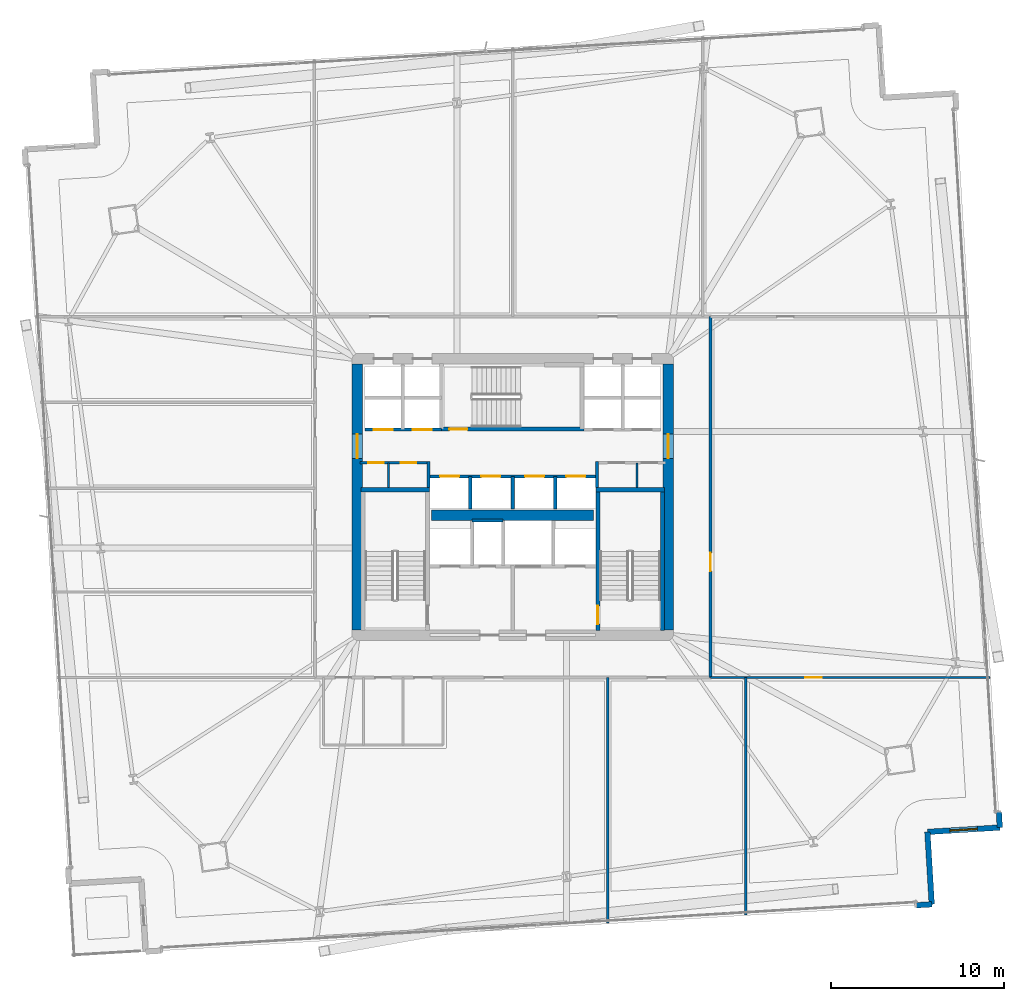
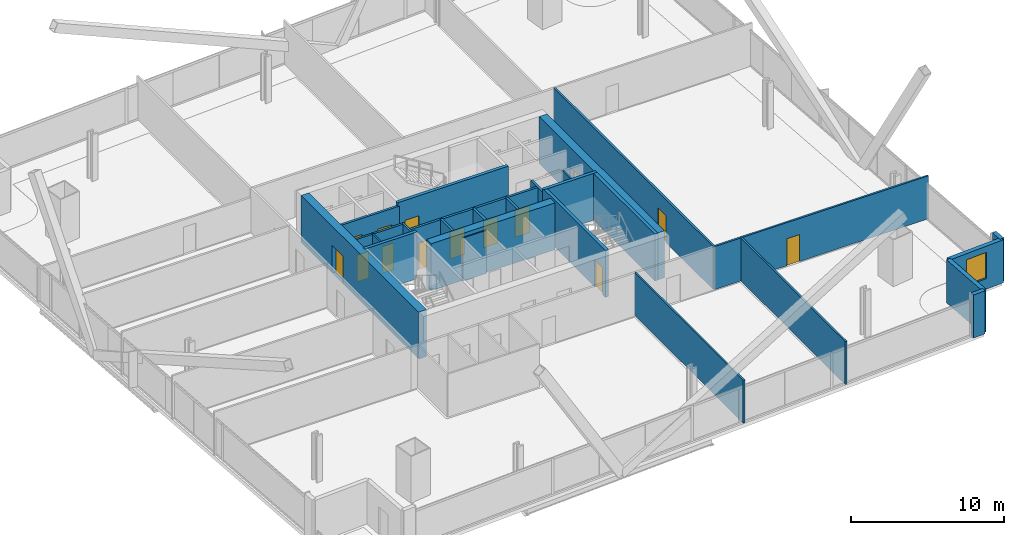
# One storey, part 27 of 34: 27 walls, 14 doors, 1 window, 15 openings.
"""IFC4 building model written with IfcOpenShell, lengths in metres."""

from ifc_helpers import new_model, si_unit, direction, frame, frame_2d, origin, place, context, subcontext, project, spatial, rectangle, extrude, material, layer, layer_set, type_object, element, fill, save


model = new_model("IFC4")

# Units and contexts
model_context = context("Model", 3, precision=1e-05, world=origin(), true_north=direction((0.0, 1.0)))
body_context = subcontext(model_context, "Body", "Model", "MODEL_VIEW")
ifc_project = project(units=[si_unit("LENGTHUNIT", "METRE"), si_unit("AREAUNIT", "SQUARE_METRE"), si_unit("VOLUMEUNIT", "CUBIC_METRE"), si_unit("PLANEANGLEUNIT", "RADIAN"), si_unit("MASSUNIT", "GRAM", prefix="KILO")], contexts=[model_context])

# Site, building, storey
site_placement = place(None, origin())
site = spatial("IfcSite", under=ifc_project, at=site_placement, CompositionType="ELEMENT")
building_placement = place(site_placement, origin())
building = spatial("IfcBuilding", under=site, at=building_placement, Name="Haldenkirk Collegiate Tower", CompositionType="ELEMENT")
storey_placement = place(building_placement, frame((0.0, 0.0, 40.199951171875)))
storey = spatial("IfcBuildingStorey", under=building, at=storey_placement, Name="L08", CompositionType="ELEMENT", Elevation=40.199951171875)

# Wall, opening, door
ifc_material_1 = material(Name="Concrete f'c 70 MPa", Category="concrete")
ifc_layer_1 = layer(ifc_material_1, 0.60009765625)
ifc_layer_set_1 = layer_set([ifc_layer_1], Name="Concrete f'c 70 MPa")
wall_type_1 = type_object("IfcWallType", Name="WL-CORE-600", PredefinedType="SHEAR", material=ifc_layer_set_1)
wall_1_placement = place(storey_placement, frame((27.0, 18.300048828125, 0.0), z_axis=(0.0, 0.0, 1.0), x_axis=(0.0, 1.0, 0.0)))
wall_1 = element("IfcWall", 1, at=wall_1_placement, inside=storey, type_object=wall_type_1, Name="L08 central core shear wall W", PredefinedType="SHEAR", context=body_context, shape_type="SweptSolid", body=[
    extrude(rectangle(XDim=15.39990234375, YDim=0.60009765625, at=frame_2d((7.699951171875, 0.0))), origin(), (0.0, 0.0, 1.0), 3.75),
])
opening_1_placement = place(wall_1_placement, frame((9.93994140625, 0.0, 0.0)))
opening_1 = element("IfcOpeningElement", 2, at=opening_1_placement, cuts=wall_1, Name="Opening D-03", PredefinedType="OPENING", context=body_context, shape_type="SweptSolid", body=[
    extrude(rectangle(XDim=1.39990234375, YDim=2.199951171875, at=frame_2d((0.699951171875, 1.10009765625))), frame((0.0, 0.31005859375, 0.0), z_axis=(0.0, -1.0, 0.0), x_axis=(1.0, 0.0, 0.0)), (0.0, 0.0, 1.0), 0.6201171875),
])
ifc_material_2 = material(Name="Galvanized fire-rated hollow steel door", Category="steel")
ifc_layer_2 = layer(ifc_material_2, 0.06005859375)
ifc_layer_set_2 = layer_set([ifc_layer_2], Name="Galvanized fire-rated hollow steel door")
door_type_1 = type_object("IfcDoorType", Name="DR-LOBBY-FD90-1400", OperationType="NOTDEFINED", PredefinedType="DOOR", material=ifc_layer_set_2)
door_1_placement = place(opening_1_placement, origin())
door_1 = element("IfcDoor", 3, at=door_1_placement, inside=storey, type_object=door_type_1, Name="L08 west lift lobby portal", OperationType="DOUBLE_DOOR_SINGLE_SWING", OverallHeight=2.199951171875, OverallWidth=1.39990234375, PredefinedType="DOOR", context=body_context, shape_type="SweptSolid", body=[
    extrude(rectangle(XDim=1.39990234375, YDim=2.199951171875, at=frame_2d((0.699951171875, 1.10009765625))), frame((0.0, 0.02490234375, 0.0), z_axis=(0.0, -1.0, 0.0), x_axis=(1.0, 0.0, 0.0)), (0.0, 0.0, 1.0), 0.050048828125),
])
fill(opening_1, door_1)

wall_2_placement = place(storey_placement, frame((45.0, 18.300048828125, 0.0), z_axis=(0.0, 0.0, 1.0), x_axis=(0.0, 1.0, 0.0)))
wall_2 = element("IfcWall", 4, at=wall_2_placement, inside=storey, type_object=wall_type_1, Name="L08 central core shear wall E", PredefinedType="SHEAR", context=body_context, shape_type="SweptSolid", body=[
    extrude(rectangle(XDim=15.39990234375, YDim=0.60009765625, at=frame_2d((7.699951171875, 0.0))), origin(), (0.0, 0.0, 1.0), 3.75),
])
opening_2_placement = place(wall_2_placement, frame((9.93994140625, 0.0, 0.0)))
opening_2 = element("IfcOpeningElement", 5, at=opening_2_placement, cuts=wall_2, Name="Opening D-03", PredefinedType="OPENING", context=body_context, shape_type="SweptSolid", body=[
    extrude(rectangle(XDim=1.39990234375, YDim=2.199951171875, at=frame_2d((0.699951171875, 1.10009765625))), frame((0.0, 0.31005859375, 0.0), z_axis=(0.0, -1.0, 0.0), x_axis=(1.0, 0.0, 0.0)), (0.0, 0.0, 1.0), 0.6201171875),
])
door_2_placement = place(opening_2_placement, origin())
door_2 = element("IfcDoor", 6, at=door_2_placement, inside=storey, type_object=door_type_1, Name="L08 east lift lobby portal", OperationType="DOUBLE_DOOR_SINGLE_SWING", OverallHeight=2.199951171875, OverallWidth=1.39990234375, PredefinedType="DOOR", context=body_context, shape_type="SweptSolid", body=[
    extrude(rectangle(XDim=1.39990234375, YDim=2.199951171875, at=frame_2d((0.699951171875, 1.10009765625))), frame((0.0, 0.02490234375, 0.0), z_axis=(0.0, -1.0, 0.0), x_axis=(1.0, 0.0, 0.0)), (0.0, 0.0, 1.0), 0.050048828125),
])
fill(opening_2, door_2)

# Walls
wall_3_placement = place(storey_placement, frame((31.31005859375, 24.949951171875, 0.0), z_axis=(0.0, 0.0, 1.0), x_axis=(1.0, 0.0, 0.0)))
element("IfcWall", 7, at=wall_3_placement, inside=storey, type_object=wall_type_1, Name="L08 central core spine shear wall", PredefinedType="SHEAR", context=body_context, shape_type="SweptSolid", body=[
    extrude(rectangle(XDim=9.3798828125, YDim=0.60009765625, at=frame_2d((4.68994140625, 0.0))), origin(), (0.0, 0.0, 1.0), 3.75),
])
ifc_material_3 = material(Name="Precast concrete f'c 40 MPa", Category="concrete")
ifc_layer_3 = layer(ifc_material_3, 0.320068359375)
ifc_layer_set_3 = layer_set([ifc_layer_3], Name="Precast concrete f'c 40 MPa")
wall_type_2 = type_object("IfcWallType", Name="WL-EXT-TWR-320", PredefinedType="STANDARD", material=ifc_layer_set_3)
wall_4_placement = place(storey_placement, frame((60.26318359375, 2.41748046875, 0.0), z_axis=(0.0, 0.0, 1.0), x_axis=(-0.998185333119, -0.060216615204, 0.0)))
element("IfcWall", 8, at=wall_4_placement, inside=storey, type_object=wall_type_2, Name="L08 precast corner pier SL", PredefinedType="STANDARD", context=body_context, shape_type="SweptSolid", body=[
    extrude(rectangle(XDim=0.900146484375, YDim=0.320068359375, at=frame_2d((0.4501953125, 0.0))), origin(), (0.0, 0.0, 1.0), 3.43994140625),
])
wall_5_placement = place(storey_placement, frame((60.010498046875, 6.609619140625, 0.0), z_axis=(0.0, 0.0, 1.0), x_axis=(0.060166846771, -0.998188334208, 0.0)))
element("IfcWall", 9, at=wall_5_placement, inside=storey, type_object=wall_type_2, Name="L08 bronze precast notch wall 02", PredefinedType="STANDARD", context=body_context, shape_type="SweptSolid", body=[
    extrude(rectangle(XDim=4.19970703125, YDim=0.320068359375, at=frame_2d((2.099853515625, 0.0))), origin(), (0.0, 0.0, 1.0), 3.43994140625),
])

# Wall, opening, window
wall_6_placement = place(storey_placement, frame((64.202880859375, 6.862548828125, 0.0), z_axis=(0.0, 0.0, 1.0), x_axis=(-0.998185052072, -0.060221273815, 0.0)))
wall_6 = element("IfcWall", 10, at=wall_6_placement, inside=storey, type_object=wall_type_2, Name="L08 bronze precast notch wall 03", PredefinedType="STANDARD", context=body_context, shape_type="SweptSolid", body=[
    extrude(rectangle(XDim=4.199951171875, YDim=0.320068359375, at=frame_2d((2.10009765625, 0.0))), origin(), (0.0, 0.0, 1.0), 3.43994140625),
])
opening_3_placement = place(wall_6_placement, frame((1.300048828125, 0.0, 0.85009765625)))
opening_3 = element("IfcOpeningElement", 11, at=opening_3_placement, cuts=wall_6, Name="Opening W-03", PredefinedType="OPENING", context=body_context, shape_type="SweptSolid", body=[
    extrude(rectangle(XDim=1.60009765625, YDim=2.10009765625, at=frame_2d((0.800048828125, 1.050048828125))), frame((0.0, 0.169921875, 0.0), z_axis=(0.0, -1.0, 0.0), x_axis=(1.0, 0.0, 0.0)), (0.0, 0.0, 1.0), 0.340087890625),
])
ifc_material_4 = material(Name="Low-E argon triple insulating glass", Category="glass")
ifc_layer_4 = layer(ifc_material_4, 0.090087890625)
ifc_layer_set_4 = layer_set([ifc_layer_4], Name="Low-E argon triple insulating glass")
window_type = type_object("IfcWindowType", Name="WN-Z1-1600X2100", PartitioningType="SINGLE_PANEL", PredefinedType="WINDOW", material=ifc_layer_set_4)
window_placement = place(opening_3_placement, origin())
window = element("IfcWindow", 12, at=window_placement, inside=storey, type_object=window_type, Name="L08 precast-frame academic window 2", OverallHeight=2.10009765625, OverallWidth=1.60009765625, PartitioningType="SINGLE_PANEL", PredefinedType="WINDOW", context=body_context, shape_type="SweptSolid", body=[
    extrude(rectangle(XDim=1.60009765625, YDim=2.10009765625, at=frame_2d((0.800048828125, 1.050048828125))), frame((0.0, 0.030029296875, 0.0), z_axis=(0.0, -1.0, 0.0), x_axis=(1.0, 0.0, 0.0)), (0.0, 0.0, 1.0), 0.06005859375),
])
fill(opening_3, window)

# Wall
wall_7_placement = place(storey_placement, frame((64.148681640625, 7.760986328125, 0.0), z_axis=(0.0, 0.0, 1.0), x_axis=(0.060216615204, -0.998185333119, 0.0)))
element("IfcWall", 13, at=wall_7_placement, inside=storey, type_object=wall_type_2, Name="L08 precast corner pier ER", PredefinedType="STANDARD", context=body_context, shape_type="SweptSolid", body=[
    extrude(rectangle(XDim=0.900146484375, YDim=0.320068359375, at=frame_2d((0.4501953125, 0.0))), origin(), (0.0, 0.0, 1.0), 3.43994140625),
])

# Wall, openings, doors
ifc_material_5 = material(Name="Acoustic fire-rated gypsum partition", Category="concrete")
ifc_layer_5 = layer(ifc_material_5, 0.159912109375)
ifc_layer_set_5 = layer_set([ifc_layer_5], Name="Acoustic fire-rated gypsum partition")
wall_type_3 = type_object("IfcWallType", Name="WL-INT-CORR-160", PredefinedType="PARTITIONING", material=ifc_layer_set_5)
wall_8_placement = place(storey_placement, frame((27.14990234375, 27.97998046875, 0.0), z_axis=(0.0, 0.0, 1.0), x_axis=(1.0, 0.0, 0.0)))
wall_8 = element("IfcWall", 14, at=wall_8_placement, inside=storey, type_object=wall_type_3, Name="L08 interior partition IW-L08-VCSW-N", PredefinedType="PARTITIONING", context=body_context, shape_type="SweptSolid", body=[
    extrude(rectangle(XDim=4.050048828125, YDim=0.159912109375, at=frame_2d((2.02490234375, 0.0))), origin(), (0.0, 0.0, 1.0), 3.43994140625),
])
opening_4_placement = place(wall_8_placement, frame((0.469970703125, 0.0, 0.0)))
opening_4 = element("IfcOpeningElement", 15, at=opening_4_placement, cuts=wall_8, Name="Opening D-11", PredefinedType="OPENING", context=body_context, shape_type="SweptSolid", body=[
    extrude(rectangle(XDim=0.89990234375, YDim=2.14990234375, at=frame_2d((0.449951171875, 1.074951171875))), frame((0.0, 0.08984375, 0.0), z_axis=(0.0, -1.0, 0.0), x_axis=(1.0, 0.0, 0.0)), (0.0, 0.0, 1.0), 0.179931640625),
])
opening_5_placement = place(wall_8_placement, frame((2.360107421875, 0.0, 0.0)))
opening_5 = element("IfcOpeningElement", 16, at=opening_5_placement, cuts=wall_8, Name="Opening D-11", PredefinedType="OPENING", context=body_context, shape_type="SweptSolid", body=[
    extrude(rectangle(XDim=0.89990234375, YDim=2.14990234375, at=frame_2d((0.449951171875, 1.074951171875))), frame((0.0, 0.08984375, 0.0), z_axis=(0.0, -1.0, 0.0), x_axis=(1.0, 0.0, 0.0)), (0.0, 0.0, 1.0), 0.179931640625),
])
ifc_material_6 = material(Name="Solid-core architectural oak fire door", Category="wood")
ifc_layer_6 = layer(ifc_material_6, 0.06005859375)
ifc_layer_set_6 = layer_set([ifc_layer_6], Name="Solid-core architectural oak fire door")
door_type_2 = type_object("IfcDoorType", Name="DR-INT-FD60-900", OperationType="NOTDEFINED", PredefinedType="DOOR", material=ifc_layer_set_6)
door_3_placement = place(opening_4_placement, origin())
door_3 = element("IfcDoor", 17, at=door_3_placement, inside=storey, type_object=door_type_2, Name="L08 core AV closet door", OperationType="SINGLE_SWING_LEFT", OverallHeight=2.14990234375, OverallWidth=0.89990234375, PredefinedType="DOOR", context=body_context, shape_type="SweptSolid", body=[
    extrude(rectangle(XDim=0.89990234375, YDim=2.14990234375, at=frame_2d((0.449951171875, 1.074951171875))), frame((0.0, 0.02490234375, 0.0), z_axis=(0.0, -1.0, 0.0), x_axis=(1.0, 0.0, 0.0)), (0.0, 0.0, 1.0), 0.050048828125),
])
fill(opening_4, door_3)
door_4_placement = place(opening_5_placement, origin())
door_4 = element("IfcDoor", 18, at=door_4_placement, inside=storey, type_object=door_type_2, Name="L08 core supply closet door", OperationType="SINGLE_SWING_RIGHT", OverallHeight=2.14990234375, OverallWidth=0.89990234375, PredefinedType="DOOR", context=body_context, shape_type="SweptSolid", body=[
    extrude(rectangle(XDim=0.89990234375, YDim=2.14990234375, at=frame_2d((0.449951171875, 1.074951171875))), frame((0.0, 0.02490234375, 0.0), z_axis=(0.0, -1.0, 0.0), x_axis=(1.0, 0.0, 0.0)), (0.0, 0.0, 1.0), 0.050048828125),
])
fill(opening_5, door_4)

# Walls
for number, where, z_axis, x_axis, name in (
    (19, (31.1201171875, 26.5400390625, 0.0), (0.0, 0.0, 1.0), (0.0, 1.0, 0.0), "L08 interior partition IW-L08-VCSW-E"),
    (20, (40.8798828125, 26.5400390625, 0.0), (0.0, 0.0, 1.0), (0.0, 1.0, 0.0), "L08 interior partition IW-L08-VCSE-W"),
):
    element("IfcWall", number, at=place(storey_placement, frame(where, z_axis=z_axis, x_axis=x_axis)), inside=storey, type_object=wall_type_3, Name=name, PredefinedType="PARTITIONING", context=body_context, shape_type="SweptSolid", body=[
        extrude(rectangle(XDim=1.510009765625, YDim=0.159912109375, at=frame_2d((0.7548828125, 0.0))), origin(), (0.0, 0.0, 1.0), 3.43994140625),
    ])

# Wall, opening, door
wall_9_placement = place(storey_placement, frame((47.449951171875, 15.550048828125, 0.0), z_axis=(0.0, 0.0, 1.0), x_axis=(0.0, 1.0, 0.0)))
wall_9 = element("IfcWall", 21, at=wall_9_placement, inside=storey, type_object=wall_type_3, Name="L08 interior partition IW-L08-CE", PredefinedType="PARTITIONING", context=body_context, shape_type="SweptSolid", body=[
    extrude(rectangle(XDim=20.89990234375, YDim=0.159912109375, at=frame_2d((10.449951171875, 0.0))), origin(), (0.0, 0.0, 1.0), 3.43994140625),
])
opening_6_placement = place(wall_9_placement, frame((6.1630859375, 0.0, 0.0)))
opening_6 = element("IfcOpeningElement", 22, at=opening_6_placement, cuts=wall_9, Name="Opening D-09", PredefinedType="OPENING", context=body_context, shape_type="SweptSolid", body=[
    extrude(rectangle(XDim=1.050048828125, YDim=2.14990234375, at=frame_2d((0.52490234375, 1.074951171875))), frame((0.0, 0.08984375, 0.0), z_axis=(0.0, -1.0, 0.0), x_axis=(1.0, 0.0, 0.0)), (0.0, 0.0, 1.0), 0.179931640625),
])
ifc_layer_7 = layer(ifc_material_6, 0.06005859375)
ifc_layer_set_7 = layer_set([ifc_layer_7], Name="Solid-core architectural oak fire door")
door_type_3 = type_object("IfcDoorType", Name="DR-INT-FD60-1050", OperationType="NOTDEFINED", PredefinedType="DOOR", material=ifc_layer_set_7)
door_5_placement = place(opening_6_placement, origin())
door_5 = element("IfcDoor", 23, at=door_5_placement, inside=storey, type_object=door_type_3, Name="L08 Critique Seminar Room 12 door", OperationType="SINGLE_SWING_LEFT", OverallHeight=2.14990234375, OverallWidth=1.050048828125, PredefinedType="DOOR", context=body_context, shape_type="SweptSolid", body=[
    extrude(rectangle(XDim=1.050048828125, YDim=2.14990234375, at=frame_2d((0.52490234375, 1.074951171875))), frame((0.0, 0.02490234375, 0.0), z_axis=(0.0, -1.0, 0.0), x_axis=(1.0, 0.0, 0.0)), (0.0, 0.0, 1.0), 0.050048828125),
])
fill(opening_6, door_5)

ifc_layer_8 = layer(ifc_material_5, 0.139892578125)
ifc_layer_set_8 = layer_set([ifc_layer_8], Name="Acoustic fire-rated gypsum partition")
wall_type_4 = type_object("IfcWallType", Name="WL-INT-DIV-140", PredefinedType="PARTITIONING", material=ifc_layer_set_8)
wall_10_placement = place(storey_placement, frame((47.449951171875, 15.550048828125, 0.0), z_axis=(0.0, 0.0, 1.0), x_axis=(1.0, 0.0, 0.0)))
wall_10 = element("IfcWall", 24, at=wall_10_placement, inside=storey, type_object=wall_type_4, Name="L08 interior partition IW-L08-BES", PredefinedType="PARTITIONING", context=body_context, shape_type="SweptSolid", body=[
    extrude(rectangle(XDim=16.18896484375, YDim=0.139892578125, at=frame_2d((8.094482421875, 0.0))), origin(), (0.0, 0.0, 1.0), 3.43994140625),
])
opening_7_placement = place(wall_10_placement, frame((5.485107421875, 0.0, 0.0)))
opening_7 = element("IfcOpeningElement", 25, at=opening_7_placement, cuts=wall_10, Name="Opening D-12", PredefinedType="OPENING", context=body_context, shape_type="SweptSolid", body=[
    extrude(rectangle(XDim=0.949951171875, YDim=2.14990234375, at=frame_2d((0.47509765625, 1.074951171875))), frame((0.0, 0.079833984375, 0.0), z_axis=(0.0, -1.0, 0.0), x_axis=(1.0, 0.0, 0.0)), (0.0, 0.0, 1.0), 0.159912109375),
])
ifc_layer_9 = layer(ifc_material_6, 0.06005859375)
ifc_layer_set_9 = layer_set([ifc_layer_9], Name="Solid-core architectural oak fire door")
door_type_4 = type_object("IfcDoorType", Name="DR-INT-STD-950", OperationType="NOTDEFINED", PredefinedType="DOOR", material=ifc_layer_set_9)
door_6_placement = place(opening_7_placement, origin())
door_6 = element("IfcDoor", 26, at=door_6_placement, inside=storey, type_object=door_type_4, Name="L08 Tutorial Seminar Room 3 door", OperationType="SINGLE_SWING_RIGHT", OverallHeight=2.14990234375, OverallWidth=0.949951171875, PredefinedType="DOOR", context=body_context, shape_type="SweptSolid", body=[
    extrude(rectangle(XDim=0.949951171875, YDim=2.14990234375, at=frame_2d((0.47509765625, 1.074951171875))), frame((0.0, 0.02490234375, 0.0), z_axis=(0.0, -1.0, 0.0), x_axis=(1.0, 0.0, 0.0)), (0.0, 0.0, 1.0), 0.050048828125),
])
fill(opening_7, door_6)

# Walls
wall_11_placement = place(storey_placement, frame((49.5, 1.80859375, 0.0), z_axis=(0.0, 0.0, 1.0), x_axis=(0.0, 1.0, 0.0)))
element("IfcWall", 27, at=wall_11_placement, inside=storey, type_object=wall_type_4, Name="L08 interior partition IW-L08-RS2", PredefinedType="PARTITIONING", context=body_context, shape_type="SweptSolid", body=[
    extrude(rectangle(XDim=13.741455078125, YDim=0.139892578125, at=frame_2d((6.87060546875, 0.0))), origin(), (0.0, 0.0, 1.0), 3.43994140625),
])
ifc_material_7 = material(Name="Fire-rated gypsum shaftboard assembly", Category="concrete")
ifc_layer_10 = layer(ifc_material_7, 0.179931640625)
ifc_layer_set_10 = layer_set([ifc_layer_10], Name="Fire-rated gypsum shaftboard assembly")
wall_type_5 = type_object("IfcWallType", Name="WL-INT-SHAFT-180", PredefinedType="PARTITIONING", material=ifc_layer_set_10)
wall_12_placement = place(storey_placement, frame((33.64990234375, 24.64990234375, 0.0), z_axis=(0.0, 0.0, 1.0), x_axis=(1.0, 0.0, 0.0)))
element("IfcWall", 28, at=wall_12_placement, inside=storey, type_object=wall_type_5, Name="L08 interior partition IW-L08-RSRN", PredefinedType="PARTITIONING", context=body_context, shape_type="SweptSolid", body=[
    extrude(rectangle(XDim=1.800048828125, YDim=0.179931640625, at=frame_2d((0.89990234375, 0.0))), origin(), (0.0, 0.0, 1.0), 3.43994140625),
])

# Wall, openings, doors
wall_13_placement = place(storey_placement, frame((27.449951171875, 29.89990234375, 0.0), z_axis=(0.0, 0.0, 1.0), x_axis=(1.0, 0.0, 0.0)))
wall_13 = element("IfcWall", 29, at=wall_13_placement, inside=storey, type_object=wall_type_5, Name="L08 interior partition IW-L08-PLS", PredefinedType="PARTITIONING", context=body_context, shape_type="SweptSolid", body=[
    extrude(rectangle(XDim=4.429931640625, YDim=0.179931640625, at=frame_2d((2.21484375, 0.0))), origin(), (0.0, 0.0, 1.0), 3.43994140625),
])
opening_8_placement = place(wall_13_placement, frame((0.514892578125, 0.0, 0.0)))
opening_8 = element("IfcOpeningElement", 30, at=opening_8_placement, cuts=wall_13, Name="Opening LD-11", PredefinedType="OPENING", context=body_context, shape_type="SweptSolid", body=[
    extrude(rectangle(XDim=1.10009765625, YDim=2.14990234375, at=frame_2d((0.550048828125, 1.074951171875))), frame((0.0, 0.099853515625, 0.0), z_axis=(0.0, -1.0, 0.0), x_axis=(1.0, 0.0, 0.0)), (0.0, 0.0, 1.0), 0.199951171875),
])
opening_9_placement = place(wall_13_placement, frame((2.764892578125, 0.0, 0.0)))
opening_9 = element("IfcOpeningElement", 31, at=opening_9_placement, cuts=wall_13, Name="Opening LD-11", PredefinedType="OPENING", context=body_context, shape_type="SweptSolid", body=[
    extrude(rectangle(XDim=1.10009765625, YDim=2.14990234375, at=frame_2d((0.550048828125, 1.074951171875))), frame((0.0, 0.099853515625, 0.0), z_axis=(0.0, -1.0, 0.0), x_axis=(1.0, 0.0, 0.0)), (0.0, 0.0, 1.0), 0.199951171875),
])
ifc_material_8 = material(Name="Brushed architectural stainless steel", Category="steel")
ifc_layer_11 = layer(ifc_material_8, 0.06005859375)
ifc_layer_set_11 = layer_set([ifc_layer_11], Name="Brushed architectural stainless steel")
door_type_5 = type_object("IfcDoorType", Name="LD-PASS-1100", OperationType="NOTDEFINED", PredefinedType="DOOR", material=ifc_layer_set_11)
door_7_placement = place(opening_8_placement, origin())
door_7 = element("IfcDoor", 32, at=door_7_placement, inside=storey, type_object=door_type_5, Name="L08 Elevator PL1 sliding landing door", OperationType="SLIDING_TO_LEFT", OverallHeight=2.14990234375, OverallWidth=1.10009765625, PredefinedType="DOOR", context=body_context, shape_type="SweptSolid", body=[
    extrude(rectangle(XDim=1.10009765625, YDim=2.14990234375, at=frame_2d((0.550048828125, 1.074951171875))), frame((0.0, 0.02490234375, 0.0), z_axis=(0.0, -1.0, 0.0), x_axis=(1.0, 0.0, 0.0)), (0.0, 0.0, 1.0), 0.050048828125),
])
fill(opening_8, door_7)
door_8_placement = place(opening_9_placement, origin())
door_8 = element("IfcDoor", 33, at=door_8_placement, inside=storey, type_object=door_type_5, Name="L08 Elevator PL2 sliding landing door", OperationType="SLIDING_TO_LEFT", OverallHeight=2.14990234375, OverallWidth=1.10009765625, PredefinedType="DOOR", context=body_context, shape_type="SweptSolid", body=[
    extrude(rectangle(XDim=1.10009765625, YDim=2.14990234375, at=frame_2d((0.550048828125, 1.074951171875))), frame((0.0, 0.02490234375, 0.0), z_axis=(0.0, -1.0, 0.0), x_axis=(1.0, 0.0, 0.0)), (0.0, 0.0, 1.0), 0.050048828125),
])
fill(opening_9, door_8)

wall_14_placement = place(storey_placement, frame((31.199951171875, 27.199951171875, 0.0), z_axis=(0.0, 0.0, 1.0), x_axis=(1.0, 0.0, 0.0)))
wall_14 = element("IfcWall", 34, at=wall_14_placement, inside=storey, type_object=wall_type_5, Name="L08 interior partition IW-L08-PHN", PredefinedType="PARTITIONING", context=body_context, shape_type="SweptSolid", body=[
    extrude(rectangle(XDim=9.60009765625, YDim=0.179931640625, at=frame_2d((4.800048828125, 0.0))), origin(), (0.0, 0.0, 1.0), 3.43994140625),
])
opening_10_placement = place(wall_14_placement, frame((0.590087890625, 0.0, 0.0)))
opening_10 = element("IfcOpeningElement", 35, at=opening_10_placement, cuts=wall_14, Name="Opening LD-11", PredefinedType="OPENING", context=body_context, shape_type="SweptSolid", body=[
    extrude(rectangle(XDim=1.10009765625, YDim=2.14990234375, at=frame_2d((0.550048828125, 1.074951171875))), frame((0.0, 0.099853515625, 0.0), z_axis=(0.0, -1.0, 0.0), x_axis=(1.0, 0.0, 0.0)), (0.0, 0.0, 1.0), 0.199951171875),
])
opening_11_placement = place(wall_14_placement, frame((2.989990234375, 0.0, 0.0)))
opening_11 = element("IfcOpeningElement", 36, at=opening_11_placement, cuts=wall_14, Name="Opening LD-11", PredefinedType="OPENING", context=body_context, shape_type="SweptSolid", body=[
    extrude(rectangle(XDim=1.10009765625, YDim=2.14990234375, at=frame_2d((0.550048828125, 1.074951171875))), frame((0.0, 0.099853515625, 0.0), z_axis=(0.0, -1.0, 0.0), x_axis=(1.0, 0.0, 0.0)), (0.0, 0.0, 1.0), 0.199951171875),
])
opening_12_placement = place(wall_14_placement, frame((5.510009765625, 0.0, 0.0)))
opening_12 = element("IfcOpeningElement", 37, at=opening_12_placement, cuts=wall_14, Name="Opening LD-11", PredefinedType="OPENING", context=body_context, shape_type="SweptSolid", body=[
    extrude(rectangle(XDim=1.10009765625, YDim=2.14990234375, at=frame_2d((0.550048828125, 1.074951171875))), frame((0.0, 0.099853515625, 0.0), z_axis=(0.0, -1.0, 0.0), x_axis=(1.0, 0.0, 0.0)), (0.0, 0.0, 1.0), 0.199951171875),
])
opening_13_placement = place(wall_14_placement, frame((7.909912109375, 0.0, 0.0)))
opening_13 = element("IfcOpeningElement", 38, at=opening_13_placement, cuts=wall_14, Name="Opening LD-11", PredefinedType="OPENING", context=body_context, shape_type="SweptSolid", body=[
    extrude(rectangle(XDim=1.10009765625, YDim=2.14990234375, at=frame_2d((0.550048828125, 1.074951171875))), frame((0.0, 0.099853515625, 0.0), z_axis=(0.0, -1.0, 0.0), x_axis=(1.0, 0.0, 0.0)), (0.0, 0.0, 1.0), 0.199951171875),
])
door_9_placement = place(opening_10_placement, origin())
door_9 = element("IfcDoor", 39, at=door_9_placement, inside=storey, type_object=door_type_5, Name="L08 Elevator PH1 sliding landing door", OperationType="SLIDING_TO_LEFT", OverallHeight=2.14990234375, OverallWidth=1.10009765625, PredefinedType="DOOR", context=body_context, shape_type="SweptSolid", body=[
    extrude(rectangle(XDim=1.10009765625, YDim=2.14990234375, at=frame_2d((0.550048828125, 1.074951171875))), frame((0.0, 0.02490234375, 0.0), z_axis=(0.0, -1.0, 0.0), x_axis=(1.0, 0.0, 0.0)), (0.0, 0.0, 1.0), 0.050048828125),
])
fill(opening_10, door_9)
door_10_placement = place(opening_11_placement, origin())
door_10 = element("IfcDoor", 40, at=door_10_placement, inside=storey, type_object=door_type_5, Name="L08 Elevator PH2 sliding landing door", OperationType="SLIDING_TO_LEFT", OverallHeight=2.14990234375, OverallWidth=1.10009765625, PredefinedType="DOOR", context=body_context, shape_type="SweptSolid", body=[
    extrude(rectangle(XDim=1.10009765625, YDim=2.14990234375, at=frame_2d((0.550048828125, 1.074951171875))), frame((0.0, 0.02490234375, 0.0), z_axis=(0.0, -1.0, 0.0), x_axis=(1.0, 0.0, 0.0)), (0.0, 0.0, 1.0), 0.050048828125),
])
fill(opening_11, door_10)
door_11_placement = place(opening_12_placement, origin())
door_11 = element("IfcDoor", 41, at=door_11_placement, inside=storey, type_object=door_type_5, Name="L08 Elevator PH3 sliding landing door", OperationType="SLIDING_TO_LEFT", OverallHeight=2.14990234375, OverallWidth=1.10009765625, PredefinedType="DOOR", context=body_context, shape_type="SweptSolid", body=[
    extrude(rectangle(XDim=1.10009765625, YDim=2.14990234375, at=frame_2d((0.550048828125, 1.074951171875))), frame((0.0, 0.02490234375, 0.0), z_axis=(0.0, -1.0, 0.0), x_axis=(1.0, 0.0, 0.0)), (0.0, 0.0, 1.0), 0.050048828125),
])
fill(opening_12, door_11)
door_12_placement = place(opening_13_placement, origin())
door_12 = element("IfcDoor", 42, at=door_12_placement, inside=storey, type_object=door_type_5, Name="L08 Elevator PH4 sliding landing door", OperationType="SLIDING_TO_LEFT", OverallHeight=2.14990234375, OverallWidth=1.10009765625, PredefinedType="DOOR", context=body_context, shape_type="SweptSolid", body=[
    extrude(rectangle(XDim=1.10009765625, YDim=2.14990234375, at=frame_2d((0.550048828125, 1.074951171875))), frame((0.0, 0.02490234375, 0.0), z_axis=(0.0, -1.0, 0.0), x_axis=(1.0, 0.0, 0.0)), (0.0, 0.0, 1.0), 0.050048828125),
])
fill(opening_13, door_12)

# Walls
for number, where, z_axis, x_axis, name in (
    (43, (33.5400390625, 25.300048828125, 0.0), (0.0, 0.0, 1.0), (0.0, 1.0, 0.0), "L08 interior partition IW-L08-PHV1"),
    (44, (36.0, 25.300048828125, 0.0), (0.0, 0.0, 1.0), (0.0, 1.0, 0.0), "L08 interior partition IW-L08-PHV2"),
    (45, (38.4599609375, 25.300048828125, 0.0), (0.0, 0.0, 1.0), (0.0, 1.0, 0.0), "L08 interior partition IW-L08-PHV3"),
):
    element("IfcWall", number, at=place(storey_placement, frame(where, z_axis=z_axis, x_axis=x_axis)), inside=storey, type_object=wall_type_5, Name=name, PredefinedType="PARTITIONING", context=body_context, shape_type="SweptSolid", body=[
        extrude(rectangle(XDim=1.89990234375, YDim=0.179931640625, at=frame_2d((0.949951171875, 0.0))), origin(), (0.0, 0.0, 1.0), 3.43994140625),
    ])
ifc_layer_12 = layer(ifc_material_5, 0.1201171875)
ifc_layer_set_12 = layer_set([ifc_layer_12], Name="Acoustic fire-rated gypsum partition")
wall_type_6 = type_object("IfcWallType", Name="WL-INT-WET-120", PredefinedType="PARTITIONING", material=ifc_layer_set_12)
for number, where, z_axis, x_axis, name in (
    (46, (28.800048828125, 26.5400390625, 0.0), (0.0, 0.0, 1.0), (0.0, 1.0, 0.0), "L08 interior partition IW-L08-VCSW-M"),
    (47, (43.199951171875, 26.5400390625, 0.0), (0.0, 0.0, 1.0), (0.0, 1.0, 0.0), "L08 interior partition IW-L08-VCSE-M"),
):
    element("IfcWall", number, at=place(storey_placement, frame(where, z_axis=z_axis, x_axis=x_axis)), inside=storey, type_object=wall_type_6, Name=name, PredefinedType="PARTITIONING", context=body_context, shape_type="SweptSolid", body=[
        extrude(rectangle(XDim=1.43994140625, YDim=0.1201171875, at=frame_2d((0.719970703125, 0.0))), origin(), (0.0, 0.0, 1.0), 3.43994140625),
    ])
wall_15_placement = place(storey_placement, frame((41.5, 1.326416015625, 0.0), z_axis=(0.0, 0.0, 1.0), x_axis=(0.0, 1.0, 0.0)))
element("IfcWall", 48, at=wall_15_placement, inside=storey, type_object=wall_type_6, Name="L08 interior partition IW-L08-RS1", PredefinedType="PARTITIONING", context=body_context, shape_type="SweptSolid", body=[
    extrude(rectangle(XDim=14.2236328125, YDim=0.1201171875, at=frame_2d((7.11181640625, 0.0))), origin(), (0.0, 0.0, 1.0), 3.43994140625),
])
ifc_material_9 = material(Name="Concrete f'c 55 MPa", Category="concrete")
ifc_layer_13 = layer(ifc_material_9, 0.239990234375)
ifc_layer_set_13 = layer_set([ifc_layer_13], Name="Concrete f'c 55 MPa")
wall_type_7 = type_object("IfcWallType", Name="WL-SHAFT-240", PredefinedType="SHEAR", material=ifc_layer_set_13)
wall_16_placement = place(storey_placement, frame((27.2099609375, 26.419921875, 0.0), z_axis=(0.0, 0.0, 1.0), x_axis=(1.0, 0.0, 0.0)))
element("IfcWall", 49, at=wall_16_placement, inside=storey, type_object=wall_type_7, Name="L08 stair shaft shear wall SW-L08-ST1N", PredefinedType="SHEAR", context=body_context, shape_type="SweptSolid", body=[
    extrude(rectangle(XDim=3.97998046875, YDim=0.239990234375, at=frame_2d((1.989990234375, 0.0))), origin(), (0.0, 0.0, 1.0), 3.75),
])

# Wall, opening, door
wall_17_placement = place(storey_placement, frame((40.929931640625, 18.280029296875, 0.0), z_axis=(0.0, 0.0, 1.0), x_axis=(0.0, 1.0, 0.0)))
wall_17 = element("IfcWall", 50, at=wall_17_placement, inside=storey, type_object=wall_type_7, Name="L08 stair shaft shear wall SW-L08-ST2W", PredefinedType="SHEAR", context=body_context, shape_type="SweptSolid", body=[
    extrude(rectangle(XDim=8.260009765625, YDim=0.239990234375, at=frame_2d((4.1298828125, 0.0))), origin(), (0.0, 0.0, 1.0), 3.75),
])
opening_14_placement = place(wall_17_placement, frame((0.364990234375, 0.0, 0.0)))
opening_14 = element("IfcOpeningElement", 51, at=opening_14_placement, cuts=wall_17, Name="Opening D-01", PredefinedType="OPENING", context=body_context, shape_type="SweptSolid", body=[
    extrude(rectangle(XDim=1.050048828125, YDim=2.14990234375, at=frame_2d((0.52490234375, 1.074951171875))), frame((0.0, 0.1298828125, 0.0), z_axis=(0.0, -1.0, 0.0), x_axis=(1.0, 0.0, 0.0)), (0.0, 0.0, 1.0), 0.260009765625),
])
ifc_layer_14 = layer(ifc_material_2, 0.06005859375)
ifc_layer_set_14 = layer_set([ifc_layer_14], Name="Galvanized fire-rated hollow steel door")
door_type_6 = type_object("IfcDoorType", Name="DR-STAIR-FD90-1050", OperationType="NOTDEFINED", PredefinedType="DOOR", material=ifc_layer_set_14)
door_13_placement = place(opening_14_placement, origin())
door_13 = element("IfcDoor", 52, at=door_13_placement, inside=storey, type_object=door_type_6, Name="L08 Stair 2 door", OperationType="SINGLE_SWING_RIGHT", OverallHeight=2.14990234375, OverallWidth=1.050048828125, PredefinedType="DOOR", context=body_context, shape_type="SweptSolid", body=[
    extrude(rectangle(XDim=1.050048828125, YDim=2.14990234375, at=frame_2d((0.52490234375, 1.074951171875))), frame((0.0, 0.02490234375, 0.0), z_axis=(0.0, -1.0, 0.0), x_axis=(1.0, 0.0, 0.0)), (0.0, 0.0, 1.0), 0.050048828125),
])
fill(opening_14, door_13)

# Walls
wall_18_placement = place(storey_placement, frame((40.81005859375, 26.419921875, 0.0), z_axis=(0.0, 0.0, 1.0), x_axis=(1.0, 0.0, 0.0)))
element("IfcWall", 53, at=wall_18_placement, inside=storey, type_object=wall_type_7, Name="L08 stair shaft shear wall SW-L08-ST2N", PredefinedType="SHEAR", context=body_context, shape_type="SweptSolid", body=[
    extrude(rectangle(XDim=3.97998046875, YDim=0.239990234375, at=frame_2d((1.989990234375, 0.0))), origin(), (0.0, 0.0, 1.0), 3.75),
])
wall_19_placement = place(storey_placement, frame((44.669921875, 18.280029296875, 0.0), z_axis=(0.0, 0.0, 1.0), x_axis=(0.0, 1.0, 0.0)))
element("IfcWall", 54, at=wall_19_placement, inside=storey, type_object=wall_type_7, Name="L08 stair shaft shear wall SW-L08-ST2E", PredefinedType="SHEAR", context=body_context, shape_type="SweptSolid", body=[
    extrude(rectangle(XDim=8.260009765625, YDim=0.239990234375, at=frame_2d((4.1298828125, 0.0))), origin(), (0.0, 0.0, 1.0), 3.75),
])

# Wall, opening, door
wall_20_placement = place(storey_placement, frame((31.760009765625, 29.929931640625, 0.0), z_axis=(0.0, 0.0, 1.0), x_axis=(1.0, 0.0, 0.0)))
wall_20 = element("IfcWall", 55, at=wall_20_placement, inside=storey, type_object=wall_type_7, Name="L08 stair shaft shear wall SW-L08-ST3S", PredefinedType="SHEAR", context=body_context, shape_type="SweptSolid", body=[
    extrude(rectangle(XDim=8.3798828125, YDim=0.239990234375, at=frame_2d((4.18994140625, 0.0))), origin(), (0.0, 0.0, 1.0), 3.75),
])
opening_15_placement = place(wall_20_placement, frame((0.56494140625, 0.0, 0.0)))
opening_15 = element("IfcOpeningElement", 56, at=opening_15_placement, cuts=wall_20, Name="Opening D-01", PredefinedType="OPENING", context=body_context, shape_type="SweptSolid", body=[
    extrude(rectangle(XDim=1.050048828125, YDim=2.14990234375, at=frame_2d((0.52490234375, 1.074951171875))), frame((0.0, 0.1298828125, 0.0), z_axis=(0.0, -1.0, 0.0), x_axis=(1.0, 0.0, 0.0)), (0.0, 0.0, 1.0), 0.260009765625),
])
door_14_placement = place(opening_15_placement, origin())
door_14 = element("IfcDoor", 57, at=door_14_placement, inside=storey, type_object=door_type_6, Name="L08 lift lobby Stair 3 door", OperationType="SINGLE_SWING_LEFT", OverallHeight=2.14990234375, OverallWidth=1.050048828125, PredefinedType="DOOR", context=body_context, shape_type="SweptSolid", body=[
    extrude(rectangle(XDim=1.050048828125, YDim=2.14990234375, at=frame_2d((0.52490234375, 1.074951171875))), frame((0.0, 0.02490234375, 0.0), z_axis=(0.0, -1.0, 0.0), x_axis=(1.0, 0.0, 0.0)), (0.0, 0.0, 1.0), 0.050048828125),
])
fill(opening_15, door_14)

save(model, "model.ifc")
